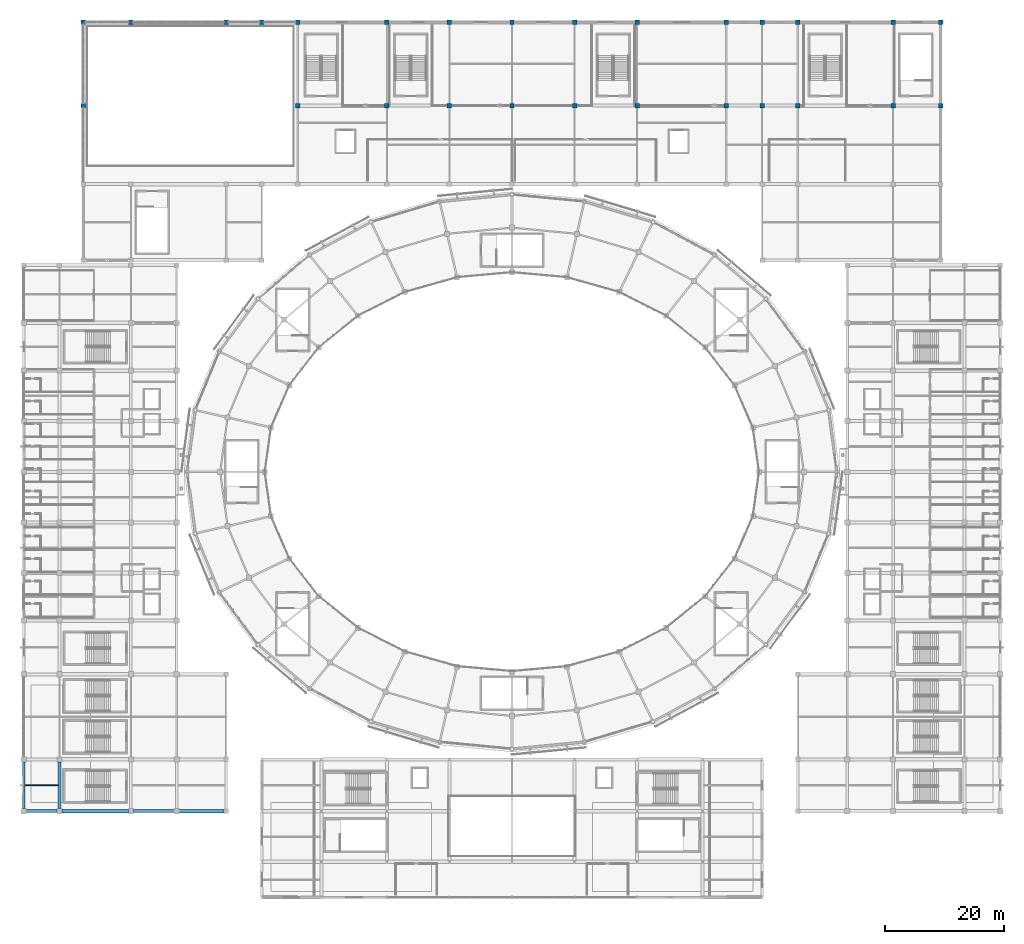
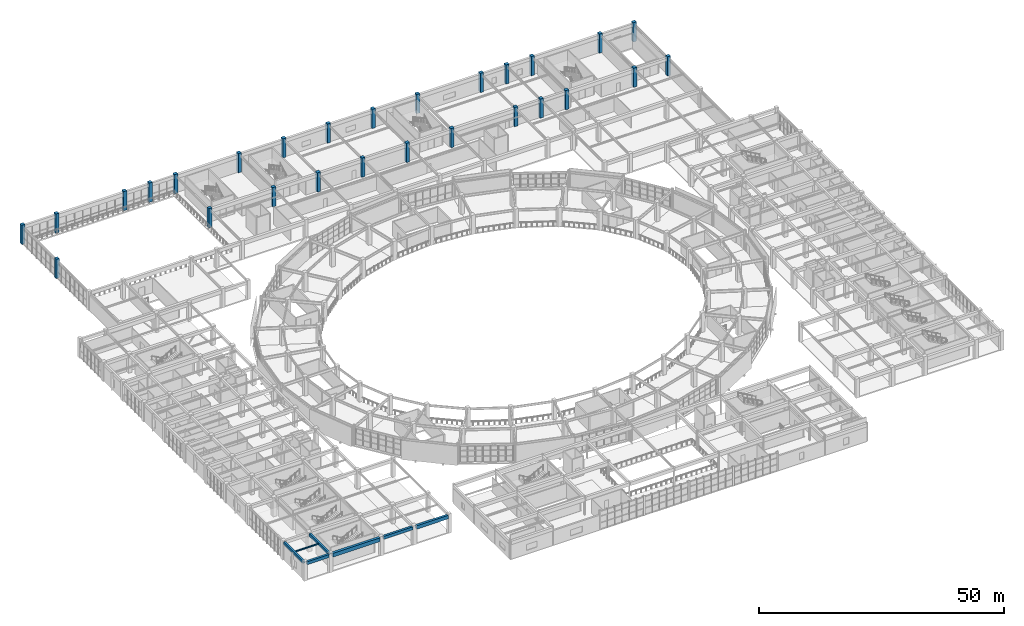
# One storey, part 13 of 112: 27 columns, 7 beams.
"""IFC4 building model written with IfcOpenShell, lengths in metres."""

import ifcopenshell
import ifcopenshell.guid

model = None  # the IFC model being written
_history = None  # IfcOwnerHistory: only IFC2X3 demands one
_inside = {}  # id of a spatial element -> (the spatial element, [elements in it])
_under = {}  # id of a project, library or spatial element -> (it, [spatial elements below it])
_declared = {}  # id of a project -> (the project, [libraries it declares])
_typed = {}  # id of a type object -> (the type object, [elements of that type])
_made_of = {}  # id of a material, layer set ... -> (it, [elements and type objects made of it])


def new_model(schema):
    """Start an empty IFC model of exactly this schema.

    Asked for "IFC4X3", IfcOpenShell would pick the latest addendum, in which some entities
    have other attributes; the version numbers below select the first issue.
    IFC2X3 requires an IfcOwnerHistory on every rooted entity: one is made here for all.
    """
    global model, _history
    if schema == "IFC4X3":
        model = ifcopenshell.file(schema_version=(4, 3, 0, 0))
    else:
        model = ifcopenshell.file(schema=schema)
    _inside.clear()
    _under.clear()
    _declared.clear()
    _typed.clear()
    _made_of.clear()
    _history = None
    if model.schema == "IFC2X3":
        org = make("IfcOrganization", Name="unknown")
        user = make(
            "IfcPersonAndOrganization",
            ThePerson=make("IfcPerson", FamilyName="unknown"),
            TheOrganization=org,
        )
        app = make(
            "IfcApplication",
            ApplicationDeveloper=org,
            Version="unknown",
            ApplicationFullName="unknown",
            ApplicationIdentifier="unknown",
        )
        _history = make(
            "IfcOwnerHistory",
            OwningUser=user,
            OwningApplication=app,
            ChangeAction="ADDED",
            CreationDate=0,
        )
    return model


def make(cls, **values):
    """One entity of the class cls with the attributes given. An attribute that is None is left unset."""
    return model.create_entity(
        cls, **{name: value for name, value in values.items() if value is not None}
    )


def rooted(cls, **values):
    """An entity with a GlobalId (a new one), such as an element, a storey or a relation."""
    return make(cls, GlobalId=ifcopenshell.guid.new(), OwnerHistory=_history, **values)


def si_unit(unit_type, name, prefix=None):
    """IfcSIUnit, for example si_unit("LENGTHUNIT", "METRE", prefix="MILLI")."""
    return make("IfcSIUnit", UnitType=unit_type, Prefix=prefix, Name=name)


def assignment(units):
    """IfcUnitAssignment: the units of a project."""
    return None if units is None else make("IfcUnitAssignment", Units=units)


def point(xyz):
    """IfcCartesianPoint."""
    return None if xyz is None else make("IfcCartesianPoint", Coordinates=xyz)


def direction(xyz):
    """IfcDirection."""
    return None if xyz is None else make("IfcDirection", DirectionRatios=xyz)


def frame(location, z_axis=None, x_axis=None):
    """IfcAxis2Placement3D, a coordinate frame: its origin and axes. An axis left out is left unset."""
    return make(
        "IfcAxis2Placement3D",
        Location=point(location),
        Axis=direction(z_axis),
        RefDirection=direction(x_axis),
    )


def frame_2d(location, x_axis=None):
    """IfcAxis2Placement2D, a coordinate frame in the plane: its origin and x axis."""
    return make(
        "IfcAxis2Placement2D", Location=point(location), RefDirection=direction(x_axis)
    )


def origin():
    """The frame at (0, 0, 0) with its axes left unset."""
    return frame((0.0, 0.0, 0.0))


def origin_2d():
    """The frame at (0, 0) in the plane with its x axis left unset."""
    return frame_2d((0.0, 0.0))


def place(relative_to, where):
    """IfcLocalPlacement: puts the frame where relative to a parent placement (None: the world)."""
    return make(
        "IfcLocalPlacement", PlacementRelTo=relative_to, RelativePlacement=where
    )


def context(
    kind, dimensions, precision=None, world=None, true_north=None, identifier=None
):
    """IfcGeometricRepresentationContext, for example the 3D "Model" context."""
    return make(
        "IfcGeometricRepresentationContext",
        ContextIdentifier=identifier,
        ContextType=kind,
        CoordinateSpaceDimension=dimensions,
        Precision=precision,
        WorldCoordinateSystem=world,
        TrueNorth=true_north,
    )


def subcontext(parent, identifier, kind, view, scale=None):
    """IfcGeometricRepresentationSubContext, for example "Body" below "Model"."""
    return make(
        "IfcGeometricRepresentationSubContext",
        ContextIdentifier=identifier,
        ContextType=kind,
        ParentContext=parent,
        TargetScale=scale,
        TargetView=view,
    )


def project(units=None, contexts=None):
    """IfcProject with its units and contexts."""
    return rooted(
        "IfcProject",
        Name="project",
        RepresentationContexts=contexts,
        UnitsInContext=assignment(units),
    )


def spatial(cls, under=None, at=None, **own):
    """A site, building, storey or space (cls), placed at a placement, below another one or the project."""
    s = rooted(cls, ObjectPlacement=at, **own)
    if under is not None:
        _under.setdefault(under.id(), (under, []))[1].append(s)
    return s


def profile(cls, at=None, kind="AREA", **sizes):
    """A parametric profile (cls). Its sizes go by their IFC names, for example OverallWidth=200.0."""
    return make(cls, ProfileType=kind, Position=at, **sizes)


def rectangle(**sizes):
    """IfcRectangleProfileDef."""
    return profile("IfcRectangleProfileDef", **sizes)


def i_section(**sizes):
    """IfcIShapeProfileDef."""
    return profile("IfcIShapeProfileDef", **sizes)


def extrude(swept, where, along, depth):
    """IfcExtrudedAreaSolid: the profile swept, set in the frame where, extruded along a direction by depth."""
    return make(
        "IfcExtrudedAreaSolid",
        SweptArea=swept,
        Position=where,
        ExtrudedDirection=direction(along),
        Depth=depth,
    )


def shape(context_of_items, identifier, shape_type, items):
    """IfcShapeRepresentation: the items that make up one representation, for example the "Body"."""
    return make(
        "IfcShapeRepresentation",
        ContextOfItems=context_of_items,
        RepresentationIdentifier=identifier,
        RepresentationType=shape_type,
        Items=items,
    )


def material(Name=None, Category=None):
    """IfcMaterial."""
    return make("IfcMaterial", Name=Name, Category=Category)


def material_profile(
    of_material, cross_section, Name=None, Category=None, Priority=None
):
    """IfcMaterialProfile: a cross section and its material."""
    return make(
        "IfcMaterialProfile",
        Name=Name,
        Material=of_material,
        Profile=cross_section,
        Priority=Priority,
        Category=Category,
    )


def profile_set(profiles, Name=None, composite=None):
    """IfcMaterialProfileSet."""
    return make(
        "IfcMaterialProfileSet",
        Name=Name,
        MaterialProfiles=profiles,
        CompositeProfile=composite,
    )


def made_of(thing, what):
    """Note that an element or type object is made of a material, layer set ...; save() writes the relation."""
    if what is not None:
        _made_of.setdefault(what.id(), (what, []))[1].append(thing)
    return thing


def type_object(cls, material=None, **own):
    """A type object (cls), such as IfcWallType, which elements share."""
    return made_of(rooted(cls, **own), material)


def element(
    cls,
    number,
    at=None,
    inside=None,
    cuts=None,
    type_object=None,
    material=None,
    context=None,
    identifier="Body",
    shape_type=None,
    held_by="IfcProductDefinitionShape",
    body=None,
    shapes=None,
    **own,
):
    """One element of the class cls, such as IfcWall. Its Tag is "e" and its number.

    at: its placement. inside: the storey or other place that contains it. cuts: it is an
    opening in that element (IfcRelVoidsElement). A single representation is given by context,
    identifier, shape_type and body (its items); several are given by shapes. held_by: the class
    of the entity that holds the representations. save() writes the other relations.
    """
    e = rooted(cls, Tag="e%d" % number, ObjectPlacement=at, **own)
    if body is not None:
        shapes = [shape(context, identifier, shape_type, body)]
    if shapes is not None:
        e.Representation = make(held_by, Representations=shapes)
    if inside is not None:
        _inside.setdefault(inside.id(), (inside, []))[1].append(e)
    if cuts is not None:
        rooted(
            "IfcRelVoidsElement", RelatingBuildingElement=cuts, RelatedOpeningElement=e
        )
    if type_object is not None:
        _typed.setdefault(type_object.id(), (type_object, []))[1].append(e)
    return made_of(e, material)


def aggregate(whole, parts):
    """IfcRelAggregates: a whole, such as a stair, and the parts it consists of."""
    return rooted("IfcRelAggregates", RelatingObject=whole, RelatedObjects=parts)


def save(model, path):
    """Write the relations noted so far, then the file.

    IfcRelAggregates (storeys below a building ...), IfcRelContainedInSpatialStructure (elements
    in a storey), IfcRelDefinesByType, IfcRelAssociatesMaterial and IfcRelDeclares: one each for
    every whole, place, type object, material and project.
    """
    for whole, parts in _under.values():
        aggregate(whole, parts)
    for where, things in _inside.values():
        rooted(
            "IfcRelContainedInSpatialStructure",
            RelatedElements=things,
            RelatingStructure=where,
        )
    for kind, things in _typed.values():
        rooted("IfcRelDefinesByType", RelatedObjects=things, RelatingType=kind)
    for what, things in _made_of.values():
        rooted("IfcRelAssociatesMaterial", RelatedObjects=things, RelatingMaterial=what)
    for by, libraries in _declared.values():
        rooted("IfcRelDeclares", RelatingContext=by, RelatedDefinitions=libraries)
    model.write(path)


model = new_model("IFC4")

# Units and contexts
model_context = context("Model", 3, precision=1e-05, world=origin(), true_north=direction((0.0, 1.0)))
body_context = subcontext(model_context, "Body", "Model", "MODEL_VIEW")
ifc_project = project(units=[si_unit("LENGTHUNIT", "METRE"), si_unit("AREAUNIT", "SQUARE_METRE"), si_unit("VOLUMEUNIT", "CUBIC_METRE"), si_unit("PLANEANGLEUNIT", "RADIAN"), si_unit("MASSUNIT", "GRAM", prefix="KILO")], contexts=[model_context])

# Site, building, storey
site_placement = place(None, origin())
site = spatial("IfcSite", under=ifc_project, at=site_placement, CompositionType="ELEMENT")
building_placement = place(site_placement, origin())
building = spatial("IfcBuilding", under=site, at=building_placement, Name="Cuetzalor Civic Arena", CompositionType="ELEMENT")
storey_placement = place(building_placement, frame((0.0, 0.0, 11.39990234375)))
storey = spatial("IfcBuildingStorey", under=building, at=storey_placement, Name="L02", CompositionType="ELEMENT", Elevation=11.39990234375)

# Columns
ifc_material_1 = material(Name="Concrete C40/50", Category="concrete")
ifc_material_profile_1 = material_profile(ifc_material_1, rectangle(XDim=0.75, YDim=0.75, at=origin_2d()), Name="RC 750x750")
ifc_profile_set_1 = profile_set([ifc_material_profile_1], Name="Concrete C40/50")
column_type = type_object("IfcColumnType", Name="ConcreteColumn_750", PredefinedType="COLUMN", material=ifc_profile_set_1)
for number, where, z_axis, x_axis, name in (
    (1, (-72.0, 61.5, 0.0), (0.0, 0.0, 1.0), (1.0, 0.0, 0.0), "Column V5-C-01-04 L02"),
    (2, (-72.0, 75.5, 0.0), (0.0, 0.0, 1.0), (1.0, 0.0, 0.0), "Column V5-C-01-05 L02"),
    (3, (-64.0, 75.5, 0.0), (0.0, 0.0, 1.0), (1.0, 0.0, 0.0), "Column V5-C-02-05 L02"),
    (4, (-48.0, 75.5, 0.0), (0.0, 0.0, 1.0), (1.0, 0.0, 0.0), "Column V5-C-03-05 L02"),
    (5, (-42.0, 75.5, 0.0), (0.0, 0.0, 1.0), (1.0, 0.0, 0.0), "Column V5-C-04-05 L02"),
    (6, (-36.0, 61.5, 0.0), (0.0, 0.0, 1.0), (1.0, 0.0, 0.0), "Column V5-C-05-04 L02"),
    (7, (-36.0, 75.5, 0.0), (0.0, 0.0, 1.0), (1.0, 0.0, 0.0), "Column V5-C-05-05 L02"),
    (8, (-21.0, 61.5, 0.0), (0.0, 0.0, 1.0), (1.0, 0.0, 0.0), "Column V5-C-06-04 L02"),
    (9, (-21.0, 75.5, 0.0), (0.0, 0.0, 1.0), (1.0, 0.0, 0.0), "Column V5-C-06-05 L02"),
    (10, (-10.5, 61.5, 0.0), (0.0, 0.0, 1.0), (1.0, 0.0, 0.0), "Column V5-C-07-04 L02"),
    (11, (-10.5, 75.5, 0.0), (0.0, 0.0, 1.0), (1.0, 0.0, 0.0), "Column V5-C-07-05 L02"),
    (12, (0.0, 61.5, 0.0), (0.0, 0.0, 1.0), (1.0, 0.0, 0.0), "Column V5-C-08-04 L02"),
    (13, (0.0, 75.5, 0.0), (0.0, 0.0, 1.0), (1.0, 0.0, 0.0), "Column V5-C-08-05 L02"),
    (14, (10.5, 61.5, 0.0), (0.0, 0.0, 1.0), (1.0, 0.0, 0.0), "Column V5-C-09-04 L02"),
    (15, (10.5, 75.5, 0.0), (0.0, 0.0, 1.0), (1.0, 0.0, 0.0), "Column V5-C-09-05 L02"),
    (16, (21.0, 61.5, 0.0), (0.0, 0.0, 1.0), (1.0, 0.0, 0.0), "Column V5-C-10-04 L02"),
    (17, (21.0, 75.5, 0.0), (0.0, 0.0, 1.0), (1.0, 0.0, 0.0), "Column V5-C-10-05 L02"),
    (18, (36.0, 61.5, 0.0), (0.0, 0.0, 1.0), (1.0, 0.0, 0.0), "Column V5-C-11-04 L02"),
    (19, (36.0, 75.5, 0.0), (0.0, 0.0, 1.0), (1.0, 0.0, 0.0), "Column V5-C-11-05 L02"),
    (20, (42.0, 61.5, 0.0), (0.0, 0.0, 1.0), (1.0, 0.0, 0.0), "Column V5-C-12-04 L02"),
    (21, (42.0, 75.5, 0.0), (0.0, 0.0, 1.0), (1.0, 0.0, 0.0), "Column V5-C-12-05 L02"),
    (22, (48.0, 61.5, 0.0), (0.0, 0.0, 1.0), (1.0, 0.0, 0.0), "Column V5-C-13-04 L02"),
    (23, (48.0, 75.5, 0.0), (0.0, 0.0, 1.0), (1.0, 0.0, 0.0), "Column V5-C-13-05 L02"),
    (24, (64.0, 61.5, 0.0), (0.0, 0.0, 1.0), (1.0, 0.0, 0.0), "Column V5-C-14-04 L02"),
    (25, (64.0, 75.5, 0.0), (0.0, 0.0, 1.0), (1.0, 0.0, 0.0), "Column V5-C-14-05 L02"),
    (26, (72.0, 61.5, 0.0), (0.0, 0.0, 1.0), (1.0, 0.0, 0.0), "Column V5-C-15-04 L02"),
    (27, (72.0, 75.5, 0.0), (0.0, 0.0, 1.0), (1.0, 0.0, 0.0), "Column V5-C-15-05 L02"),
):
    element("IfcColumn", number, at=place(storey_placement, frame(where, z_axis=z_axis, x_axis=x_axis)), inside=storey, type_object=column_type, Name=name, PredefinedType="COLUMN", context=body_context, shape_type="SweptSolid", body=[
        extrude(rectangle(XDim=0.75, YDim=0.75, at=origin_2d()), origin(), (0.0, 0.0, 1.0), 4.800048828125),
    ])

# Beams
ifc_material_2 = material(Name="Concrete C40/50", Category="concrete")
ifc_material_profile_2 = material_profile(ifc_material_2, rectangle(XDim=0.5, YDim=0.75, at=origin_2d()), Name="RC 500x750")
ifc_profile_set_2 = profile_set([ifc_material_profile_2], Name="Concrete C40/50")
beam_type_1 = type_object("IfcBeamType", Name="ConcreteFrameBeam_500x750", PredefinedType="BEAM", material=ifc_profile_set_2)
beam_1_placement = place(storey_placement, frame((-81.5849609375, -57.0, 4.14501953125), z_axis=(1.0, 0.0, 0.0), x_axis=(0.0, 1.0, 0.0)))
element("IfcBeam", 28, at=beam_1_placement, inside=storey, type_object=beam_type_1, Name="Frame Girder V4W-L02-X0622", PredefinedType="BEAM", context=body_context, shape_type="SweptSolid", body=[
    extrude(rectangle(XDim=0.5, YDim=0.75, at=origin_2d()), origin(), (0.0, 0.0, 1.0), 5.169921875),
])
beam_2_placement = place(storey_placement, frame((-63.5849609375, -57.0, 4.14501953125), z_axis=(1.0, 0.0, 0.0), x_axis=(0.0, 1.0, 0.0)))
element("IfcBeam", 29, at=beam_2_placement, inside=storey, type_object=beam_type_1, Name="Frame Girder V4W-L02-X0624", PredefinedType="BEAM", context=body_context, shape_type="SweptSolid", body=[
    extrude(rectangle(XDim=0.5, YDim=0.75, at=origin_2d()), origin(), (0.0, 0.0, 1.0), 6.869873046875),
])
ifc_material_3 = material(Name="Concrete C40/50", Category="concrete")
ifc_material_profile_3 = material_profile(ifc_material_3, rectangle(XDim=0.550048828125, YDim=0.85009765625, at=origin_2d()), Name="RC 550x850")
ifc_profile_set_3 = profile_set([ifc_material_profile_3], Name="Concrete C40/50")
beam_type_2 = type_object("IfcBeamType", Name="ConcreteFrameBeam_550x850", PredefinedType="BEAM", material=ifc_profile_set_3)
beam_3_placement = place(storey_placement, frame((-55.885009765625, -57.0, 4.03515625), z_axis=(1.0, 0.0, 0.0), x_axis=(0.0, 1.0, 0.0)))
element("IfcBeam", 30, at=beam_3_placement, inside=storey, type_object=beam_type_2, Name="Frame Girder V4W-L02-X0625", PredefinedType="BEAM", context=body_context, shape_type="SweptSolid", body=[
    extrude(rectangle(XDim=0.550048828125, YDim=0.85009765625, at=origin_2d()), origin(), (0.0, 0.0, 1.0), 7.52001953125),
])
ifc_material_4 = material(Name="Concrete C40/50", Category="concrete")
ifc_material_profile_4 = material_profile(ifc_material_4, rectangle(XDim=0.60009765625, YDim=0.949951171875, at=origin_2d()), Name="RC 600x950")
ifc_profile_set_4 = profile_set([ifc_material_profile_4], Name="Concrete C40/50")
beam_type_3 = type_object("IfcBeamType", Name="ConcreteFrameBeam_600x950", PredefinedType="BEAM", material=ifc_profile_set_4)
beam_4_placement = place(storey_placement, frame((-75.5849609375, -57.0, 4.045166015625), z_axis=(1.0, 0.0, 0.0), x_axis=(0.0, 1.0, 0.0)))
element("IfcBeam", 31, at=beam_4_placement, inside=storey, type_object=beam_type_3, Name="Frame Girder V4W-L02-X0623", PredefinedType="BEAM", context=body_context, shape_type="SweptSolid", body=[
    extrude(rectangle(XDim=0.60009765625, YDim=0.949951171875, at=origin_2d()), origin(), (0.0, 0.0, 1.0), 11.169921875),
])
ifc_material_5 = material(Name="Concrete C40/50", Category="concrete")
ifc_material_profile_5 = material_profile(ifc_material_5, rectangle(XDim=0.449951171875, YDim=0.64990234375, at=origin_2d()), Name="RC 450x650")
ifc_profile_set_5 = profile_set([ifc_material_profile_5], Name="Concrete C40/50")
beam_type_4 = type_object("IfcBeamType", Name="ConcreteTieBeam_450x650", PredefinedType="BEAM", material=ifc_profile_set_5)
for number, where, z_axis, x_axis, name in (
    (32, (-82.0, -56.5849609375, 4.195068359375), (0.0, 1.0, 0.0), (-1.0, 0.0, 0.0), "Frame Girder V4W-L02-Y0658"),
    (33, (-76.0, -56.5849609375, 4.195068359375), (0.0, 1.0, 0.0), (-1.0, 0.0, 0.0), "Frame Girder V4W-L02-Y0668"),
):
    element("IfcBeam", number, at=place(storey_placement, frame(where, z_axis=z_axis, x_axis=x_axis)), inside=storey, type_object=beam_type_4, Name=name, PredefinedType="BEAM", context=body_context, shape_type="SweptSolid", body=[
        extrude(rectangle(XDim=0.449951171875, YDim=0.64990234375, at=origin_2d()), origin(), (0.0, 0.0, 1.0), 7.869873046875),
    ])
ifc_material_6 = material(Name="Steel S355", Category="steel")
ifc_material_profile_6 = material_profile(ifc_material_6, i_section(OverallWidth=0.1708984375, OverallDepth=0.35498046875, WebThickness=0.007080078125, FlangeThickness=0.01171875, at=origin_2d()), Name="W360x51")
ifc_profile_set_6 = profile_set([ifc_material_profile_6], Name="Steel S355")
beam_type_5 = type_object("IfcBeamType", Name="SecondaryFloorJoist_W360", PredefinedType="JOIST", material=ifc_profile_set_6)
beam_5_placement = place(storey_placement, frame((-81.782958984375, -52.64990234375, 4.342529296875), z_axis=(1.0, 0.0, 0.0), x_axis=(0.0, 1.0, 0.0)))
element("IfcBeam", 34, at=beam_5_placement, inside=storey, type_object=beam_type_5, Name="Secondary Floor Joist V4W-L02-0189", PredefinedType="JOIST", context=body_context, shape_type="SweptSolid", body=[
    extrude(i_section(OverallWidth=0.1708984375, OverallDepth=0.35498046875, WebThickness=0.007080078125, FlangeThickness=0.01171875, at=origin_2d()), origin(), (0.0, 0.0, 1.0), 5.56591796875),
])

save(model, "model.ifc")
